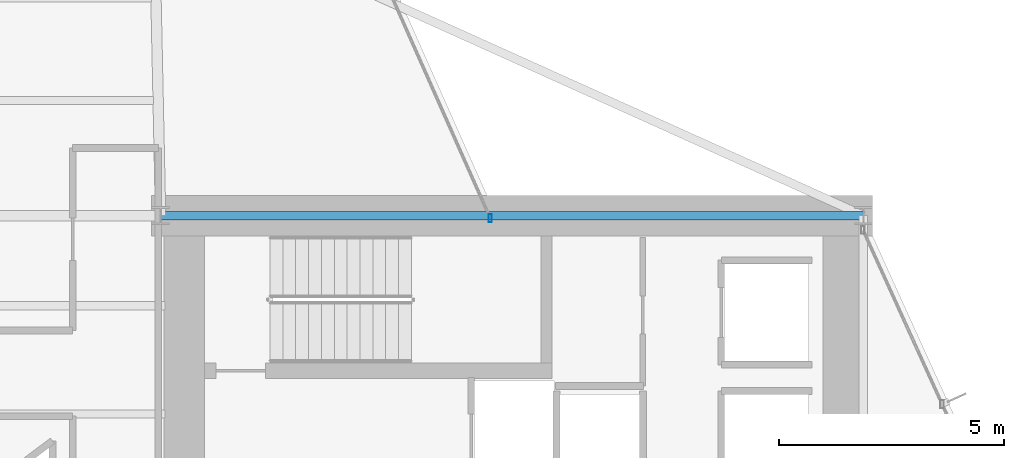
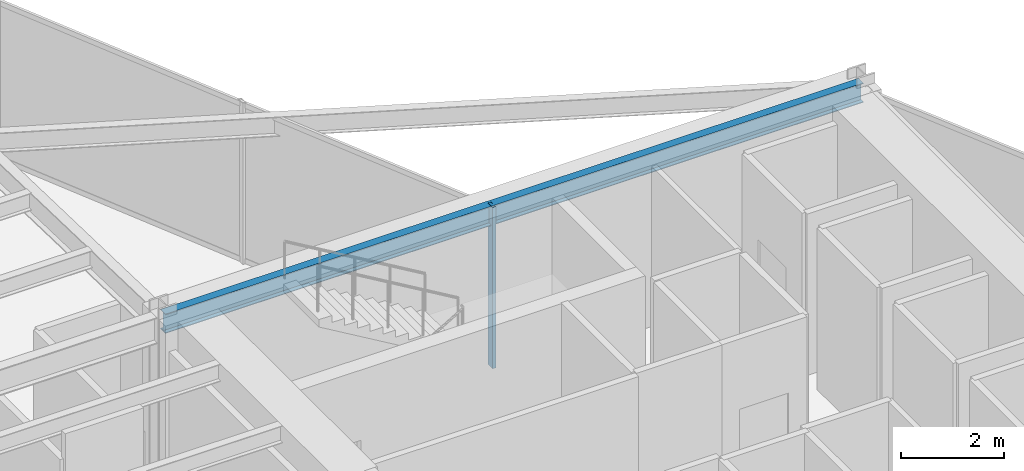
# One storey, part 13 of 24: 1 beam, 1 member, 1 element without a shape of its own.
"""IFC4 building model written with IfcOpenShell, lengths in metres."""

from ifc_helpers import new_model, si_unit, direction, frame, origin, origin_2d, place, context, subcontext, project, spatial, hollow_rectangle, i_section, extrude, material, layer, layer_set, material_profile, profile_set, type_object, element, aggregate, save


model = new_model("IFC4")

# Units and contexts
model_context = context("Model", 3, precision=1e-05, world=origin(), true_north=direction((0.0, 1.0)))
body_context = subcontext(model_context, "Body", "Model", "MODEL_VIEW")
ifc_project = project(units=[si_unit("LENGTHUNIT", "METRE"), si_unit("AREAUNIT", "SQUARE_METRE"), si_unit("VOLUMEUNIT", "CUBIC_METRE"), si_unit("PLANEANGLEUNIT", "RADIAN"), si_unit("MASSUNIT", "GRAM", prefix="KILO")], contexts=[model_context])

# Site, building, storey
site_placement = place(None, origin())
site = spatial("IfcSite", under=ifc_project, at=site_placement, CompositionType="ELEMENT")
building_placement = place(site_placement, origin())
building = spatial("IfcBuilding", under=site, at=building_placement, Name="Veymaron Broadcast Tower", CompositionType="ELEMENT")
storey_placement = place(building_placement, frame((0.0, 0.0, 98.550048828125)))
storey = spatial("IfcBuildingStorey", under=building, at=storey_placement, Name="L22", CompositionType="ELEMENT", Elevation=98.550048828125)

# Beam
ifc_material_1 = material(Name="Structural steel ASTM A992 Gr 50", Category="steel")
ifc_material_profile_1 = material_profile(ifc_material_1, i_section(OverallWidth=0.19091796875, OverallDepth=0.4599609375, WebThickness=0.010009765625, FlangeThickness=0.01611328125, at=origin_2d()), Name="W460X82")
ifc_profile_set_1 = profile_set([ifc_material_profile_1], Name="Structural steel ASTM A992 Gr 50")
beam_type = type_object("IfcBeamType", Name="BM-SP1", PredefinedType="SPANDREL", material=ifc_profile_set_1)
beam_placement = place(storey_placement, frame((39.0, 32.0, 3.579833984375), z_axis=(1.0, 0.0, 0.0), x_axis=(0.0, 1.0, 0.0)))
element("IfcBeam", 1, at=beam_placement, inside=storey, type_object=beam_type, Name="L22 primary structural floor girder", PredefinedType="SPANDREL", context=body_context, shape_type="SweptSolid", body=[
    extrude(i_section(OverallWidth=0.19091796875, OverallDepth=0.4599609375, WebThickness=0.010009765625, FlangeThickness=0.01611328125, at=origin_2d()), origin(), (0.0, 0.0, 1.0), 15.60009765625),
])

# Curtain wall, member
ifc_material_2 = material(Name="Anodised aluminium AA 6063-T6 and laminated low-E dark glass", Category="aluminium")
ifc_layer = layer(ifc_material_2, 0.179931640625)
ifc_layer_set = layer_set([ifc_layer], Name="Anodised aluminium AA 6063-T6 and laminated low-E dark glass")
curtain_wall_type = type_object("IfcCurtainWallType", Name="CW-SYS-02", PredefinedType="NOTDEFINED", material=ifc_layer_set)
curtain_wall_placement = place(storey_placement, origin())
curtain_wall = element("IfcCurtainWall", 2, at=curtain_wall_placement, inside=storey, type_object=curtain_wall_type, Name="L22 dark-glass curtain wall CW-L22-E5-1", PredefinedType="NOTDEFINED")
ifc_material_3 = material(Name="Anodised aluminium AA 6063-T6", Category="aluminium")
ifc_material_profile_2 = material_profile(ifc_material_3, hollow_rectangle(XDim=0.074951171875, YDim=0.179931640625, WallThickness=0.0048828125, at=origin_2d()), Name="AL180X75X5")
ifc_profile_set_2 = profile_set([ifc_material_profile_2], Name="Anodised aluminium AA 6063-T6")
member_type = type_object("IfcMemberType", Name="CW-MUL-02", PredefinedType="MULLION", material=ifc_profile_set_2)
member_placement = place(storey_placement, frame((46.31689453125, 31.943115234375, 0.0), z_axis=(0.0, 0.0, 1.0), x_axis=(1.0, 0.0, 0.0)))
member = element("IfcMember", 3, at=member_placement, type_object=member_type, Name="CW-L22-E5-1 mullion 0", PredefinedType="MULLION", context=body_context, shape_type="SweptSolid", body=[
    extrude(hollow_rectangle(XDim=0.074951171875, YDim=0.179931640625, WallThickness=0.0048828125, at=origin_2d()), origin(), (0.0, 0.0, 1.0), 3.81005859375),
])
aggregate(curtain_wall, [member])

save(model, "model.ifc")
